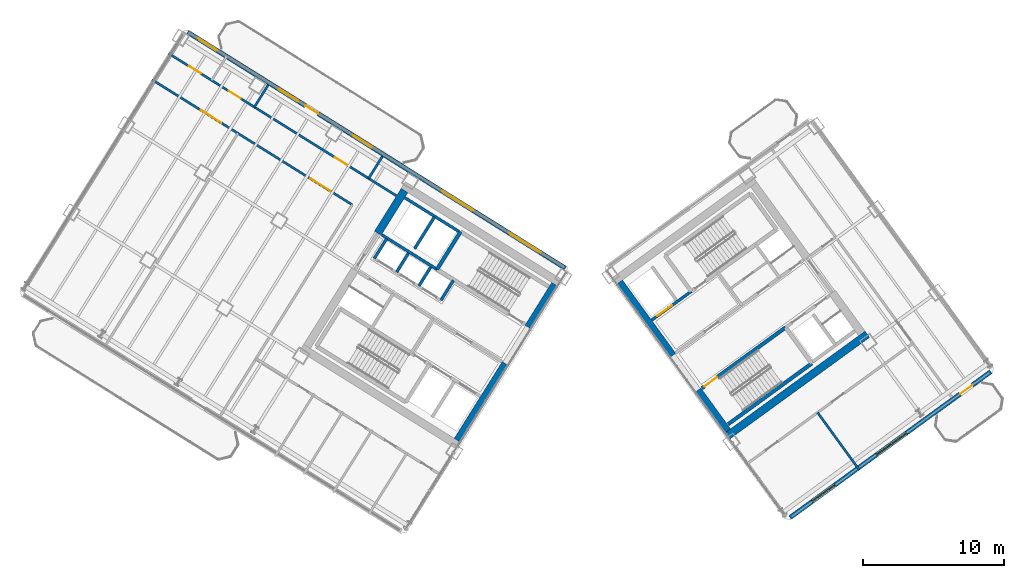
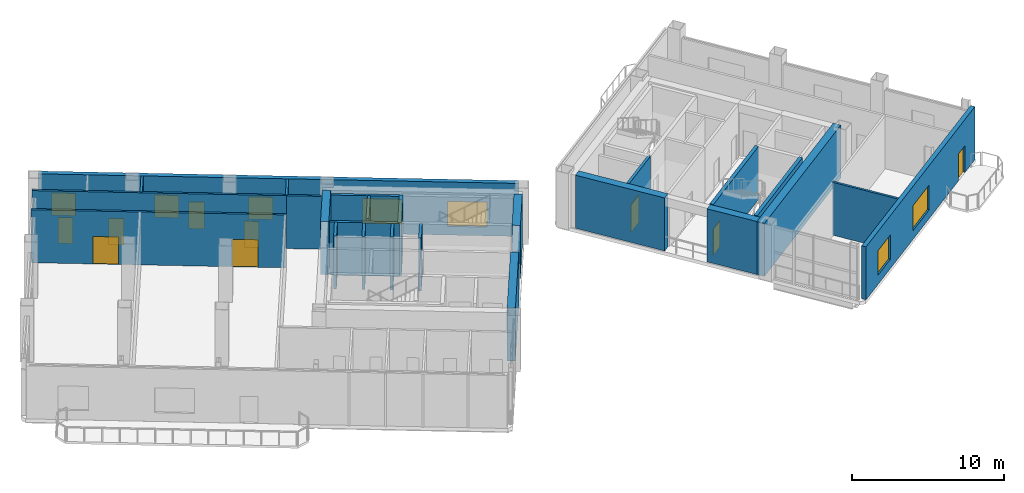
# One storey, part 11 of 18: 25 walls, 9 doors, 7 windows, 16 openings.
"""IFC4 building model written with IfcOpenShell, lengths in metres."""

from ifc_helpers import new_model, si_unit, direction, frame, frame_2d, origin, place, context, subcontext, project, spatial, rectangle, extrude, source, transform, mapped, material, layer, layer_set, type_object, element, fill, save


model = new_model("IFC4")

# Units and contexts
model_context = context("Model", 3, precision=1e-05, world=origin(), true_north=direction((0.0, 1.0)))
body_context = subcontext(model_context, "Body", "Model", "MODEL_VIEW")
ifc_project = project(units=[si_unit("LENGTHUNIT", "METRE"), si_unit("AREAUNIT", "SQUARE_METRE"), si_unit("VOLUMEUNIT", "CUBIC_METRE"), si_unit("PLANEANGLEUNIT", "RADIAN"), si_unit("MASSUNIT", "GRAM", prefix="KILO")], contexts=[model_context])

# Site, building, storey
site_placement = place(None, origin())
site = spatial("IfcSite", under=ifc_project, at=site_placement, CompositionType="ELEMENT")
building_placement = place(site_placement, origin())
building = spatial("IfcBuilding", under=site, at=building_placement, Name="Tlacorven Tower", CompositionType="ELEMENT")
storey_placement = place(building_placement, frame((0.0, 0.0, 136.199951171875)))
storey = spatial("IfcBuildingStorey", under=building, at=storey_placement, Name="L34", CompositionType="ELEMENT", Elevation=136.199951171875)

# Walls
ifc_material_1 = material(Name="Concrete C60/75", Category="concrete")
ifc_layer_1 = layer(ifc_material_1, 0.550048828125)
ifc_layer_set_1 = layer_set([ifc_layer_1], Name="Concrete C60/75")
wall_type_1 = type_object("IfcWallType", Name="WL-COR-550", PredefinedType="SHEAR", material=ifc_layer_set_1)
wall_1_placement = place(storey_placement, frame((40.194091796875, 23.92236328125, 0.0), z_axis=(0.0, 0.0, 1.0), x_axis=(-0.529888438328, -0.848067357541, 0.0)))
element("IfcWall", 1, at=wall_1_placement, inside=storey, type_object=wall_type_1, Name="L34 W core end wall E1.1", PredefinedType="SHEAR", context=body_context, shape_type="SweptSolid", body=[
    extrude(rectangle(XDim=3.574951171875, YDim=0.550048828125, at=frame_2d((1.78759765625, 0.0))), origin(), (0.0, 0.0, 1.0), 4.25),
])
wall_2_placement = place(storey_placement, frame((36.683349609375, 18.30419921875, 0.0), z_axis=(0.0, 0.0, 1.0), x_axis=(-0.529896466841, -0.848062341122, 0.0)))
element("IfcWall", 2, at=wall_2_placement, inside=storey, type_object=wall_type_1, Name="L34 W core end wall E1.2", PredefinedType="SHEAR", context=body_context, shape_type="SweptSolid", body=[
    extrude(rectangle(XDim=6.4248046875, YDim=0.550048828125, at=frame_2d((3.21240234375, 0.0))), origin(), (0.0, 0.0, 1.0), 4.25),
])
wall_3_placement = place(storey_placement, frame((29.517333984375, 30.59423828125, 0.0), z_axis=(0.0, 0.0, 1.0), x_axis=(-0.529906864564, -0.848055844204, 0.0)))
element("IfcWall", 3, at=wall_3_placement, inside=storey, type_object=wall_type_1, Name="L34 W core end wall E2.1", PredefinedType="SHEAR", context=body_context, shape_type="SweptSolid", body=[
    extrude(rectangle(XDim=3.5751953125, YDim=0.550048828125, at=frame_2d((1.78759765625, 0.0))), origin(), (0.0, 0.0, 1.0), 4.25),
])
wall_4_placement = place(storey_placement, frame((52.35888671875, 13.1396484375, 0.0), z_axis=(0.0, 0.0, 1.0), x_axis=(0.809014896919, 0.587788139183, 0.0)))
element("IfcWall", 4, at=wall_4_placement, inside=storey, type_object=wall_type_1, Name="L34 E core shear wall S1", PredefinedType="SHEAR", context=body_context, shape_type="SweptSolid", body=[
    extrude(rectangle(XDim=12.340087890625, YDim=0.550048828125, at=frame_2d((6.169921875, 0.0))), origin(), (0.0, 0.0, 1.0), 4.25),
])
wall_5_placement = place(storey_placement, frame((52.419677734375, 13.52392578125, 0.0), z_axis=(0.0, 0.0, 1.0), x_axis=(-0.587802113096, 0.809004744015, 0.0)))
element("IfcWall", 5, at=wall_5_placement, inside=storey, type_object=wall_type_1, Name="L34 E core end wall E1.1", PredefinedType="SHEAR", context=body_context, shape_type="SweptSolid", body=[
    extrude(rectangle(XDim=3.574951171875, YDim=0.550048828125, at=frame_2d((1.78759765625, 0.0))), origin(), (0.0, 0.0, 1.0), 4.25),
])
wall_6_placement = place(storey_placement, frame((48.525634765625, 18.883544921875, 0.0), z_axis=(0.0, 0.0, 1.0), x_axis=(-0.587764933797, 0.809031756236, 0.0)))
element("IfcWall", 6, at=wall_6_placement, inside=storey, type_object=wall_type_1, Name="L34 E core end wall E1.2", PredefinedType="SHEAR", context=body_context, shape_type="SweptSolid", body=[
    extrude(rectangle(XDim=6.425048828125, YDim=0.550048828125, at=frame_2d((3.21240234375, 0.0))), origin(), (0.0, 0.0, 1.0), 4.25),
])
ifc_material_2 = material(Name="Gypsum plasterboard acoustic partition", Category="gypsum")
ifc_layer_2 = layer(ifc_material_2, 0.159912109375)
ifc_layer_set_2 = layer_set([ifc_layer_2], Name="Gypsum plasterboard acoustic partition")
wall_type_2 = type_object("IfcWallType", Name="WL-DEM-160", PredefinedType="PARTITIONING", material=ifc_layer_set_2)
wall_7_placement = place(storey_placement, frame((28.929931640625, 30.22412109375, 0.0), z_axis=(0.0, 0.0, 1.0), x_axis=(-0.848028015797, 0.529951398172, 0.0)))
element("IfcWall", 7, at=wall_7_placement, inside=storey, type_object=wall_type_2, Name="L34 partition 43", PredefinedType="PARTITIONING", context=body_context, shape_type="SweptSolid", body=[
    extrude(rectangle(XDim=2.30810546875, YDim=0.159912109375, at=frame_2d((1.154052734375, 0.0))), origin(), (0.0, 0.0, 1.0), 4.239990234375),
])
wall_8_placement = place(storey_placement, frame((27.952880859375, 33.01611328125, 0.0), z_axis=(0.0, 0.0, 1.0), x_axis=(-0.529880305451, -0.848072439061, 0.0)))
element("IfcWall", 8, at=wall_8_placement, inside=storey, type_object=wall_type_2, Name="L34 partition 45", PredefinedType="PARTITIONING", context=body_context, shape_type="SweptSolid", body=[
    extrude(rectangle(XDim=1.849853515625, YDim=0.159912109375, at=frame_2d((0.9248046875, 0.0))), origin(), (0.0, 0.0, 1.0), 4.239990234375),
])

# Wall, openings, doors
wall_9_placement = place(storey_placement, frame((26.97265625, 31.447265625, 0.0), z_axis=(0.0, 0.0, 1.0), x_axis=(-0.848048310262, 0.529918921593, 0.0)))
wall_9 = element("IfcWall", 9, at=wall_9_placement, inside=storey, type_object=wall_type_2, Name="L34 Wing W Corridor South Wall", PredefinedType="PARTITIONING", context=body_context, shape_type="SweptSolid", body=[
    extrude(rectangle(XDim=16.72998046875, YDim=0.159912109375, at=frame_2d((8.364990234375, 0.0))), origin(), (0.0, 0.0, 1.0), 4.239990234375),
])
opening_1_placement = place(wall_9_placement, frame((1.800048828125, 0.0, 0.0)))
opening_1 = element("IfcOpeningElement", 10, at=opening_1_placement, cuts=wall_9, Name="Opening D11", PredefinedType="OPENING", context=body_context, shape_type="SweptSolid", body=[
    extrude(rectangle(XDim=1.0, YDim=2.10009765625, at=frame_2d((0.5, 1.050048828125))), frame((0.0, 0.08984375, 0.0), z_axis=(0.0, -1.0, 0.0), x_axis=(1.0, 0.0, 0.0)), (0.0, 0.0, 1.0), 0.179931640625),
])
opening_2_placement = place(wall_9_placement, frame((10.695068359375, 0.0, 0.0)))
opening_2 = element("IfcOpeningElement", 11, at=opening_2_placement, cuts=wall_9, Name="Opening D11", PredefinedType="OPENING", context=body_context, shape_type="SweptSolid", body=[
    extrude(rectangle(XDim=1.0, YDim=2.10009765625, at=frame_2d((0.5, 1.050048828125))), frame((0.0, 0.08984375, 0.0), z_axis=(0.0, -1.0, 0.0), x_axis=(1.0, 0.0, 0.0)), (0.0, 0.0, 1.0), 0.179931640625),
])
opening_3_placement = place(wall_9_placement, frame((14.032958984375, 0.0, 0.0)))
opening_3 = element("IfcOpeningElement", 12, at=opening_3_placement, cuts=wall_9, Name="Opening D11", PredefinedType="OPENING", context=body_context, shape_type="SweptSolid", body=[
    extrude(rectangle(XDim=1.0, YDim=2.10009765625, at=frame_2d((0.5, 1.050048828125))), frame((0.0, 0.08984375, 0.0), z_axis=(0.0, -1.0, 0.0), x_axis=(1.0, 0.0, 0.0)), (0.0, 0.0, 1.0), 0.179931640625),
])
ifc_material_3 = material(Name="Fire-rated steel door assembly", Category="steel")
door_type_1 = type_object("IfcDoorType", Name="DR-FLT-FD60-1000", OperationType="NOTDEFINED", PredefinedType="DOOR", material=ifc_material_3)
shared_shape_1 = source(origin(), body_context, "Body", "SweptSolid", [
    extrude(rectangle(XDim=1.0, YDim=2.10009765625, at=frame_2d((0.5, 1.050048828125))), frame((0.0, 0.02490234375, 0.0), z_axis=(0.0, -1.0, 0.0), x_axis=(1.0, 0.0, 0.0)), (0.0, 0.0, 1.0), 0.050048828125),
])
door_1_placement = place(opening_1_placement, frame((1.0, 0.0, 0.0), z_axis=(0.0, 0.0, 1.0), x_axis=(-1.0, 0.0, 0.0)))
door_1 = element("IfcDoor", 13, at=door_1_placement, inside=storey, type_object=door_type_1, Name="L34 door 023", OperationType="SINGLE_SWING_LEFT", OverallHeight=2.10009765625, OverallWidth=1.0, PredefinedType="DOOR", context=body_context, shape_type="MappedRepresentation", body=[
    mapped(shared_shape_1, transform((0.0, 0.0, 0.0), scale=1.0)),
])
fill(opening_1, door_1)
door_2_placement = place(opening_2_placement, frame((1.0, 0.0, 0.0), z_axis=(0.0, 0.0, 1.0), x_axis=(-1.0, 0.0, 0.0)))
door_2 = element("IfcDoor", 14, at=door_2_placement, inside=storey, type_object=door_type_1, Name="L34 door 024", OperationType="SINGLE_SWING_RIGHT", OverallHeight=2.10009765625, OverallWidth=1.0, PredefinedType="DOOR", context=body_context, shape_type="MappedRepresentation", body=[
    mapped(shared_shape_1, transform((0.0, 0.0, 0.0), scale=1.0)),
])
fill(opening_2, door_2)
door_3_placement = place(opening_3_placement, frame((1.0, 0.0, 0.0), z_axis=(0.0, 0.0, 1.0), x_axis=(-1.0, 0.0, 0.0)))
door_3 = element("IfcDoor", 15, at=door_3_placement, inside=storey, type_object=door_type_1, Name="L34 door 025", OperationType="SINGLE_SWING_RIGHT", OverallHeight=2.10009765625, OverallWidth=1.0, PredefinedType="DOOR", context=body_context, shape_type="MappedRepresentation", body=[
    mapped(shared_shape_1, transform((0.0, 0.0, 0.0), scale=1.0)),
])
fill(opening_3, door_3)

wall_10_placement = place(storey_placement, frame((25.806884765625, 29.58154296875, 0.0), z_axis=(0.0, 0.0, 1.0), x_axis=(-0.848052408131, 0.529912363569, 0.0)))
wall_10 = element("IfcWall", 16, at=wall_10_placement, inside=storey, type_object=wall_type_2, Name="L34 Wing W Corridor North Wall", PredefinedType="PARTITIONING", context=body_context, shape_type="SweptSolid", body=[
    extrude(rectangle(XDim=16.72998046875, YDim=0.159912109375, at=frame_2d((8.364990234375, 0.0))), origin(), (0.0, 0.0, 1.0), 4.239990234375),
])
opening_4_placement = place(wall_10_placement, frame((1.800048828125, 0.0, 0.0)))
opening_4 = element("IfcOpeningElement", 17, at=opening_4_placement, cuts=wall_10, Name="Opening D17", PredefinedType="OPENING", context=body_context, shape_type="SweptSolid", body=[
    extrude(rectangle(XDim=1.699951171875, YDim=2.199951171875, at=frame_2d((0.85009765625, 1.10009765625))), frame((0.0, 0.08984375, 0.0), z_axis=(0.0, -1.0, 0.0), x_axis=(1.0, 0.0, 0.0)), (0.0, 0.0, 1.0), 0.179931640625),
])
opening_5_placement = place(wall_10_placement, frame((10.955078125, 0.0, 0.0)))
opening_5 = element("IfcOpeningElement", 18, at=opening_5_placement, cuts=wall_10, Name="Opening D17", PredefinedType="OPENING", context=body_context, shape_type="SweptSolid", body=[
    extrude(rectangle(XDim=1.699951171875, YDim=2.199951171875, at=frame_2d((0.85009765625, 1.10009765625))), frame((0.0, 0.08984375, 0.0), z_axis=(0.0, -1.0, 0.0), x_axis=(1.0, 0.0, 0.0)), (0.0, 0.0, 1.0), 0.179931640625),
])
door_type_2 = type_object("IfcDoorType", Name="DR-COM-HALL-1700", OperationType="DOUBLE_DOOR_SINGLE_SWING", PredefinedType="DOOR", material=ifc_material_3)
shared_shape_2 = source(origin(), body_context, "Body", "SweptSolid", [
    extrude(rectangle(XDim=1.699951171875, YDim=2.199951171875, at=frame_2d((0.85009765625, 1.10009765625))), frame((0.0, 0.02490234375, 0.0), z_axis=(0.0, -1.0, 0.0), x_axis=(1.0, 0.0, 0.0)), (0.0, 0.0, 1.0), 0.050048828125),
])
door_4_placement = place(opening_4_placement, origin())
door_4 = element("IfcDoor", 19, at=door_4_placement, inside=storey, type_object=door_type_2, Name="L34 door 021", OperationType="DOUBLE_DOOR_SINGLE_SWING", OverallHeight=2.199951171875, OverallWidth=1.699951171875, PredefinedType="DOOR", context=body_context, shape_type="MappedRepresentation", body=[
    mapped(shared_shape_2, transform((0.0, 0.0, 0.0), scale=1.0)),
])
fill(opening_4, door_4)
door_5_placement = place(opening_5_placement, origin())
door_5 = element("IfcDoor", 20, at=door_5_placement, inside=storey, type_object=door_type_2, Name="L34 door 022", OperationType="DOUBLE_DOOR_SINGLE_SWING", OverallHeight=2.199951171875, OverallWidth=1.699951171875, PredefinedType="DOOR", context=body_context, shape_type="MappedRepresentation", body=[
    mapped(shared_shape_2, transform((0.0, 0.0, 0.0), scale=1.0)),
])
fill(opening_5, door_5)

# Walls
wall_11_placement = place(storey_placement, frame((19.849853515625, 38.079345703125, 0.0), z_axis=(0.0, 0.0, 1.0), x_axis=(-0.529880305451, -0.848072439061, 0.0)))
element("IfcWall", 21, at=wall_11_placement, inside=storey, type_object=wall_type_2, Name="L34 partition 50", PredefinedType="PARTITIONING", context=body_context, shape_type="SweptSolid", body=[
    extrude(rectangle(XDim=1.849853515625, YDim=0.159912109375, at=frame_2d((0.9248046875, 0.0))), origin(), (0.0, 0.0, 1.0), 4.239990234375),
])
wall_12_placement = place(storey_placement, frame((61.75634765625, 10.795654296875, 0.0), z_axis=(0.0, 0.0, 1.0), x_axis=(-0.587782595105, 0.809018924928, 0.0)))
element("IfcWall", 22, at=wall_12_placement, inside=storey, type_object=wall_type_2, Name="L34 partition 63", PredefinedType="PARTITIONING", context=body_context, shape_type="SweptSolid", body=[
    extrude(rectangle(XDim=5.0, YDim=0.159912109375, at=frame_2d((2.5, 0.0))), origin(), (0.0, 0.0, 1.0), 4.239990234375),
])

# Wall, openings, door, windows
ifc_material_4 = material(Name="Precast concrete C45/55", Category="concrete")
ifc_layer_3 = layer(ifc_material_4, 0.320068359375)
ifc_layer_set_3 = layer_set([ifc_layer_3], Name="Precast concrete C45/55")
wall_type_3 = type_object("IfcWallType", Name="WL-EXT-320", PredefinedType="STANDARD", material=ifc_layer_set_3)
wall_13_placement = place(storey_placement, frame((14.13818359375, 41.825439453125, 0.0), z_axis=(0.0, 0.0, 1.0), x_axis=(0.848046498049, -0.529921821731, 0.0)))
wall_13 = element("IfcWall", 23, at=wall_13_placement, inside=storey, type_object=wall_type_3, Name="L34 Masonry-Frame Recessed Facade Wall 3", PredefinedType="STANDARD", context=body_context, shape_type="SweptSolid", body=[
    extrude(rectangle(XDim=31.587646484375, YDim=0.320068359375, at=frame_2d((15.7939453125, 0.0))), origin(), (0.0, 0.0, 1.0), 4.25),
])
opening_6_placement = place(wall_13_placement, frame((9.857421875, 0.0, 0.0)))
opening_6 = element("IfcOpeningElement", 24, at=opening_6_placement, cuts=wall_13, Name="Opening D06", PredefinedType="OPENING", context=body_context, shape_type="SweptSolid", body=[
    extrude(rectangle(XDim=1.050048828125, YDim=2.14990234375, at=frame_2d((0.52490234375, 1.074951171875))), frame((0.0, 0.169921875, 0.0), z_axis=(0.0, -1.0, 0.0), x_axis=(1.0, 0.0, 0.0)), (0.0, 0.0, 1.0), 0.340087890625),
])
opening_7_placement = place(wall_13_placement, frame((0.8623046875, 0.0, 0.85009765625)))
opening_7 = element("IfcOpeningElement", 25, at=opening_7_placement, cuts=wall_13, Name="Opening WN12", PredefinedType="OPENING", context=body_context, shape_type="SweptSolid", body=[
    extrude(rectangle(XDim=1.60009765625, YDim=1.800048828125, at=frame_2d((0.800048828125, 0.89990234375))), frame((0.0, 0.169921875, 0.0), z_axis=(0.0, -1.0, 0.0), x_axis=(1.0, 0.0, 0.0)), (0.0, 0.0, 1.0), 0.340087890625),
])
opening_8_placement = place(wall_13_placement, frame((7.648193359375, 0.0, 0.85009765625)))
opening_8 = element("IfcOpeningElement", 26, at=opening_8_placement, cuts=wall_13, Name="Opening WN12", PredefinedType="OPENING", context=body_context, shape_type="SweptSolid", body=[
    extrude(rectangle(XDim=1.60009765625, YDim=1.800048828125, at=frame_2d((0.800048828125, 0.89990234375))), frame((0.0, 0.169921875, 0.0), z_axis=(0.0, -1.0, 0.0), x_axis=(1.0, 0.0, 0.0)), (0.0, 0.0, 1.0), 0.340087890625),
])
opening_9_placement = place(wall_13_placement, frame((13.82373046875, 0.0, 0.85009765625)))
opening_9 = element("IfcOpeningElement", 27, at=opening_9_placement, cuts=wall_13, Name="Opening WN12", PredefinedType="OPENING", context=body_context, shape_type="SweptSolid", body=[
    extrude(rectangle(XDim=1.60009765625, YDim=1.800048828125, at=frame_2d((0.800048828125, 0.89990234375))), frame((0.0, 0.169921875, 0.0), z_axis=(0.0, -1.0, 0.0), x_axis=(1.0, 0.0, 0.0)), (0.0, 0.0, 1.0), 0.340087890625),
])
opening_10_placement = place(wall_13_placement, frame((21.293701171875, 0.0, 0.699951171875)))
opening_10 = element("IfcOpeningElement", 28, at=opening_10_placement, cuts=wall_13, Name="Opening WN10", PredefinedType="OPENING", context=body_context, shape_type="SweptSolid", body=[
    extrude(rectangle(XDim=2.60009765625, YDim=2.0, at=frame_2d((1.300048828125, 1.0))), frame((0.0, 0.169921875, 0.0), z_axis=(0.0, -1.0, 0.0), x_axis=(1.0, 0.0, 0.0)), (0.0, 0.0, 1.0), 0.340087890625),
])
opening_11_placement = place(wall_13_placement, frame((26.893798828125, 0.0, 0.699951171875)))
opening_11 = element("IfcOpeningElement", 29, at=opening_11_placement, cuts=wall_13, Name="Opening WN10", PredefinedType="OPENING", context=body_context, shape_type="SweptSolid", body=[
    extrude(rectangle(XDim=2.60009765625, YDim=2.0, at=frame_2d((1.300048828125, 1.0))), frame((0.0, 0.169921875, 0.0), z_axis=(0.0, -1.0, 0.0), x_axis=(1.0, 0.0, 0.0)), (0.0, 0.0, 1.0), 0.340087890625),
])
ifc_material_5 = material(Name="Powder-coated aluminium and timber door", Category="wood")
door_type_3 = type_object("IfcDoorType", Name="DR-EXT-BALC-1050", OperationType="NOTDEFINED", PredefinedType="DOOR", material=ifc_material_5)
shared_shape_3 = source(origin(), body_context, "Body", "SweptSolid", [
    extrude(rectangle(XDim=1.050048828125, YDim=2.14990234375, at=frame_2d((0.52490234375, 1.074951171875))), frame((0.0, 0.02490234375, 0.0), z_axis=(0.0, -1.0, 0.0), x_axis=(1.0, 0.0, 0.0)), (0.0, 0.0, 1.0), 0.050048828125),
])
door_6_placement = place(opening_6_placement, origin())
door_6 = element("IfcDoor", 30, at=door_6_placement, inside=storey, type_object=door_type_3, Name="L34 Outdoor Access Door BAL-L34-W-IN", OperationType="SINGLE_SWING_RIGHT", OverallHeight=2.14990234375, OverallWidth=1.050048828125, PredefinedType="DOOR", context=body_context, shape_type="MappedRepresentation", body=[
    mapped(shared_shape_3, transform((0.0, 0.0, 0.0), scale=1.0)),
])
fill(opening_6, door_6)
ifc_material_6 = material(Name="Dark solar low-E double glazing in anodised aluminium frame", Category="aluminium")
window_type_1 = type_object("IfcWindowType", Name="WN-COM-2600X2200", PartitioningType="SINGLE_PANEL", PredefinedType="WINDOW", material=ifc_material_6)
shared_shape_4 = source(origin(), body_context, "Body", "SweptSolid", [
    extrude(rectangle(XDim=2.60009765625, YDim=2.0, at=frame_2d((1.300048828125, 1.0))), frame((0.0, 0.030029296875, 0.0), z_axis=(0.0, -1.0, 0.0), x_axis=(1.0, 0.0, 0.0)), (0.0, 0.0, 1.0), 0.06005859375),
])
window_1_placement = place(opening_10_placement, origin())
window_1 = element("IfcWindow", 31, at=window_1_placement, inside=storey, type_object=window_type_1, Name="L34 Recessed Masonry-Frame Window L34-03.4", OverallHeight=2.0, OverallWidth=2.60009765625, PartitioningType="SINGLE_PANEL", PredefinedType="WINDOW", context=body_context, shape_type="MappedRepresentation", body=[
    mapped(shared_shape_4, transform((0.0, 0.0, 0.0), scale=1.0)),
])
fill(opening_10, window_1)
window_2_placement = place(opening_11_placement, origin())
window_2 = element("IfcWindow", 32, at=window_2_placement, inside=storey, type_object=window_type_1, Name="L34 Recessed Masonry-Frame Window L34-03.5", OverallHeight=2.0, OverallWidth=2.60009765625, PartitioningType="SINGLE_PANEL", PredefinedType="WINDOW", context=body_context, shape_type="MappedRepresentation", body=[
    mapped(shared_shape_4, transform((0.0, 0.0, 0.0), scale=1.0)),
])
fill(opening_11, window_2)
window_type_2 = type_object("IfcWindowType", Name="WN-COM-1600X1900", PartitioningType="SINGLE_PANEL", PredefinedType="WINDOW", material=ifc_material_6)
shared_shape_5 = source(origin(), body_context, "Body", "SweptSolid", [
    extrude(rectangle(XDim=1.60009765625, YDim=1.800048828125, at=frame_2d((0.800048828125, 0.89990234375))), frame((0.0, 0.030029296875, 0.0), z_axis=(0.0, -1.0, 0.0), x_axis=(1.0, 0.0, 0.0)), (0.0, 0.0, 1.0), 0.06005859375),
])
window_3_placement = place(opening_7_placement, origin())
window_3 = element("IfcWindow", 33, at=window_3_placement, inside=storey, type_object=window_type_2, Name="L34 Recessed Masonry-Frame Window L34-03.1", OverallHeight=1.800048828125, OverallWidth=1.60009765625, PartitioningType="SINGLE_PANEL", PredefinedType="WINDOW", context=body_context, shape_type="MappedRepresentation", body=[
    mapped(shared_shape_5, transform((0.0, 0.0, 0.0), scale=1.0)),
])
fill(opening_7, window_3)
window_4_placement = place(opening_8_placement, origin())
window_4 = element("IfcWindow", 34, at=window_4_placement, inside=storey, type_object=window_type_2, Name="L34 Recessed Masonry-Frame Window L34-03.2", OverallHeight=1.800048828125, OverallWidth=1.60009765625, PartitioningType="SINGLE_PANEL", PredefinedType="WINDOW", context=body_context, shape_type="MappedRepresentation", body=[
    mapped(shared_shape_5, transform((0.0, 0.0, 0.0), scale=1.0)),
])
fill(opening_8, window_4)
window_5_placement = place(opening_9_placement, origin())
window_5 = element("IfcWindow", 35, at=window_5_placement, inside=storey, type_object=window_type_2, Name="L34 Recessed Masonry-Frame Window L34-03.3", OverallHeight=1.800048828125, OverallWidth=1.60009765625, PartitioningType="SINGLE_PANEL", PredefinedType="WINDOW", context=body_context, shape_type="MappedRepresentation", body=[
    mapped(shared_shape_5, transform((0.0, 0.0, 0.0), scale=1.0)),
])
fill(opening_9, window_5)

wall_14_placement = place(storey_placement, frame((71.097900390625, 17.73095703125, 0.0), z_axis=(0.0, 0.0, 1.0), x_axis=(-0.809021120468, -0.587779573171, 0.0)))
wall_14 = element("IfcWall", 36, at=wall_14_placement, inside=storey, type_object=wall_type_3, Name="L34 Masonry-Frame Recessed Facade Wall 6", PredefinedType="STANDARD", context=body_context, shape_type="SweptSolid", body=[
    extrude(rectangle(XDim=17.587646484375, YDim=0.320068359375, at=frame_2d((8.7939453125, 0.0))), origin(), (0.0, 0.0, 1.0), 4.25),
])
opening_12_placement = place(wall_14_placement, frame((1.623779296875, 0.0, 0.0)))
opening_12 = element("IfcOpeningElement", 37, at=opening_12_placement, cuts=wall_14, Name="Opening D06", PredefinedType="OPENING", context=body_context, shape_type="SweptSolid", body=[
    extrude(rectangle(XDim=1.050048828125, YDim=2.14990234375, at=frame_2d((0.52490234375, 1.074951171875))), frame((0.0, 0.169921875, 0.0), z_axis=(0.0, -1.0, 0.0), x_axis=(1.0, 0.0, 0.0)), (0.0, 0.0, 1.0), 0.340087890625),
])
opening_13_placement = place(wall_14_placement, frame((7.398681640625, 0.0, 0.699951171875)))
opening_13 = element("IfcOpeningElement", 38, at=opening_13_placement, cuts=wall_14, Name="Opening WN10", PredefinedType="OPENING", context=body_context, shape_type="SweptSolid", body=[
    extrude(rectangle(XDim=2.60009765625, YDim=2.0, at=frame_2d((1.300048828125, 1.0))), frame((0.0, 0.169921875, 0.0), z_axis=(0.0, -1.0, 0.0), x_axis=(1.0, 0.0, 0.0)), (0.0, 0.0, 1.0), 0.340087890625),
])
opening_14_placement = place(wall_14_placement, frame((13.650634765625, 0.0, 0.75)))
opening_14 = element("IfcOpeningElement", 39, at=opening_14_placement, cuts=wall_14, Name="Opening WN11", PredefinedType="OPENING", context=body_context, shape_type="SweptSolid", body=[
    extrude(rectangle(XDim=2.0, YDim=1.949951171875, at=frame_2d((1.0, 0.97509765625))), frame((0.0, 0.169921875, 0.0), z_axis=(0.0, -1.0, 0.0), x_axis=(1.0, 0.0, 0.0)), (0.0, 0.0, 1.0), 0.340087890625),
])
door_7_placement = place(opening_12_placement, origin())
door_7 = element("IfcDoor", 40, at=door_7_placement, inside=storey, type_object=door_type_3, Name="L34 Outdoor Access Door BAL-L34-E-OUT", OperationType="SINGLE_SWING_LEFT", OverallHeight=2.14990234375, OverallWidth=1.050048828125, PredefinedType="DOOR", context=body_context, shape_type="MappedRepresentation", body=[
    mapped(shared_shape_3, transform((0.0, 0.0, 0.0), scale=1.0)),
])
fill(opening_12, door_7)
window_6_placement = place(opening_13_placement, origin())
window_6 = element("IfcWindow", 41, at=window_6_placement, inside=storey, type_object=window_type_1, Name="L34 Recessed Masonry-Frame Window L34-06.1", OverallHeight=2.0, OverallWidth=2.60009765625, PartitioningType="SINGLE_PANEL", PredefinedType="WINDOW", context=body_context, shape_type="MappedRepresentation", body=[
    mapped(shared_shape_4, transform((0.0, 0.0, 0.0), scale=1.0)),
])
fill(opening_13, window_6)
window_type_3 = type_object("IfcWindowType", Name="WN-COM-2000X2100", PartitioningType="SINGLE_PANEL", PredefinedType="WINDOW", material=ifc_material_6)
shared_shape_6 = source(origin(), body_context, "Body", "SweptSolid", [
    extrude(rectangle(XDim=2.0, YDim=1.949951171875, at=frame_2d((1.0, 0.97509765625))), frame((0.0, 0.030029296875, 0.0), z_axis=(0.0, -1.0, 0.0), x_axis=(1.0, 0.0, 0.0)), (0.0, 0.0, 1.0), 0.06005859375),
])
window_7_placement = place(opening_14_placement, origin())
window_7 = element("IfcWindow", 42, at=window_7_placement, inside=storey, type_object=window_type_3, Name="L34 Recessed Masonry-Frame Window L34-06.2", OverallHeight=1.949951171875, OverallWidth=2.0, PartitioningType="SINGLE_PANEL", PredefinedType="WINDOW", context=body_context, shape_type="MappedRepresentation", body=[
    mapped(shared_shape_6, transform((0.0, 0.0, 0.0), scale=1.0)),
])
fill(opening_14, window_7)

# Walls
ifc_material_7 = material(Name="Concrete C40/50", Category="concrete")
ifc_layer_4 = layer(ifc_material_7, 0.199951171875)
ifc_layer_set_4 = layer_set([ifc_layer_4], Name="Concrete C40/50")
wall_type_4 = type_object("IfcWallType", Name="WL-SHF-200", PredefinedType="STANDARD", material=ifc_layer_set_4)
wall_15_placement = place(storey_placement, frame((31.82177734375, 24.99755859375, 0.0), z_axis=(0.0, 0.0, 1.0), x_axis=(-0.848036912365, 0.52993716162, 0.0)))
element("IfcWall", 43, at=wall_15_placement, inside=storey, type_object=wall_type_4, Name="L34 Core W South Lift Shaft Wall", PredefinedType="STANDARD", context=body_context, shape_type="SweptSolid", body=[
    extrude(rectangle(XDim=4.617919921875, YDim=0.199951171875, at=frame_2d((2.30908203125, 0.0))), origin(), (0.0, 0.0, 1.0), 4.239990234375),
])
wall_16_placement = place(storey_placement, frame((32.982421875, 24.21337890625, 0.0), z_axis=(0.0, 0.0, 1.0), x_axis=(-0.529839334948, -0.84809803628, 0.0)))
element("IfcWall", 44, at=wall_16_placement, inside=storey, type_object=wall_type_4, Name="L34 partition 12", PredefinedType="STANDARD", context=body_context, shape_type="SweptSolid", body=[
    extrude(rectangle(XDim=1.650146484375, YDim=0.199951171875, at=frame_2d((0.8251953125, 0.0))), origin(), (0.0, 0.0, 1.0), 4.239990234375),
])
wall_17_placement = place(storey_placement, frame((28.250244140625, 27.170166015625, 0.0), z_axis=(0.0, 0.0, 1.0), x_axis=(-0.529905827651, -0.848056492117, 0.0)))
element("IfcWall", 45, at=wall_17_placement, inside=storey, type_object=wall_type_4, Name="L34 partition 13", PredefinedType="STANDARD", context=body_context, shape_type="SweptSolid", body=[
    extrude(rectangle(XDim=1.64990234375, YDim=0.199951171875, at=frame_2d((0.824951171875, 0.0))), origin(), (0.0, 0.0, 1.0), 4.239990234375),
])
wall_18_placement = place(storey_placement, frame((31.645263671875, 28.716064453125, 0.0), z_axis=(0.0, 0.0, 1.0), x_axis=(-0.52986693015, -0.848080795876, 0.0)))
element("IfcWall", 46, at=wall_18_placement, inside=storey, type_object=wall_type_4, Name="L34 partition 15", PredefinedType="STANDARD", context=body_context, shape_type="SweptSolid", body=[
    extrude(rectangle(XDim=2.659912109375, YDim=0.199951171875, at=frame_2d((1.330078125, 0.0))), origin(), (0.0, 0.0, 1.0), 4.239990234375),
])
wall_19_placement = place(storey_placement, frame((33.362548828125, 27.690185546875, 0.0), z_axis=(0.0, 0.0, 1.0), x_axis=(-0.848047090064, 0.529920874315, 0.0)))
element("IfcWall", 47, at=wall_19_placement, inside=storey, type_object=wall_type_4, Name="L34 partition 17", PredefinedType="STANDARD", context=body_context, shape_type="SweptSolid", body=[
    extrude(rectangle(XDim=4.498046875, YDim=0.199951171875, at=frame_2d((2.2490234375, 0.0))), origin(), (0.0, 0.0, 1.0), 4.239990234375),
])
for number, where, z_axis, x_axis, name in (
    (48, (31.378662109375, 25.156494140625, 0.0), (0.0, 0.0, 1.0), (-0.529998940003, -0.847998304005, 0.0), "L34 partition 18"),
    (49, (29.80126953125, 26.14208984375, 0.0), (0.0, 0.0, 1.0), (-0.529998940003, -0.847998304005, 0.0), "L34 partition 19"),
):
    element("IfcWall", number, at=place(storey_placement, frame(where, z_axis=z_axis, x_axis=x_axis)), inside=storey, type_object=wall_type_4, Name=name, PredefinedType="STANDARD", context=body_context, shape_type="SweptSolid", body=[
        extrude(rectangle(XDim=1.580078125, YDim=0.199951171875, at=frame_2d((0.7900390625, 0.0))), origin(), (0.0, 0.0, 1.0), 4.239990234375),
    ])

# Wall, opening, door
wall_20_placement = place(storey_placement, frame((47.0654296875, 21.4072265625, 0.0), z_axis=(0.0, 0.0, 1.0), x_axis=(0.809032984992, 0.587763242466, 0.0)))
wall_20 = element("IfcWall", 50, at=wall_20_placement, inside=storey, type_object=wall_type_4, Name="L34 Core E Firefighting Lift Shaft Front Wall", PredefinedType="STANDARD", context=body_context, shape_type="SweptSolid", body=[
    extrude(rectangle(XDim=3.447998046875, YDim=0.199951171875, at=frame_2d((1.72412109375, 0.0))), origin(), (0.0, 0.0, 1.0), 4.239990234375),
])
opening_15_placement = place(wall_20_placement, frame((0.4580078125, 0.0, 0.0)))
opening_15 = element("IfcOpeningElement", 51, at=opening_15_placement, cuts=wall_20, Name="Opening LD03", PredefinedType="OPENING", context=body_context, shape_type="SweptSolid", body=[
    extrude(rectangle(XDim=1.300048828125, YDim=2.199951171875, at=frame_2d((0.64990234375, 1.10009765625))), frame((0.0, 0.10986328125, 0.0), z_axis=(0.0, -1.0, 0.0), x_axis=(1.0, 0.0, 0.0)), (0.0, 0.0, 1.0), 0.219970703125),
])
door_type_4 = type_object("IfcDoorType", Name="DR-LFT-SLID-1300", OperationType="DOUBLE_DOOR_SLIDING", PredefinedType="DOOR", material=ifc_material_3)
shared_shape_7 = source(origin(), body_context, "Body", "SweptSolid", [
    extrude(rectangle(XDim=1.300048828125, YDim=2.199951171875, at=frame_2d((0.64990234375, 1.10009765625))), frame((0.0, 0.02490234375, 0.0), z_axis=(0.0, -1.0, 0.0), x_axis=(1.0, 0.0, 0.0)), (0.0, 0.0, 1.0), 0.050048828125),
])
door_8_placement = place(opening_15_placement, origin())
door_8 = element("IfcDoor", 52, at=door_8_placement, inside=storey, type_object=door_type_4, Name="L34 Lift FFL-E1 Sliding Landing Door", OperationType="DOUBLE_DOOR_SLIDING", OverallHeight=2.199951171875, OverallWidth=1.300048828125, PredefinedType="DOOR", context=body_context, shape_type="MappedRepresentation", body=[
    mapped(shared_shape_7, transform((0.0, 0.0, 0.0), scale=1.0)),
])
fill(opening_15, door_8)

# Walls
ifc_material_8 = material(Name="Concrete C50/60", Category="concrete")
ifc_layer_5 = layer(ifc_material_8, 0.260009765625)
ifc_layer_set_5 = layer_set([ifc_layer_5], Name="Concrete C50/60")
wall_type_5 = type_object("IfcWallType", Name="WL-STW-260", PredefinedType="SHEAR", material=ifc_layer_set_5)
wall_21_placement = place(storey_placement, frame((33.496337890625, 27.677490234375, 0.0), z_axis=(0.0, 0.0, 1.0), x_axis=(-0.529908658664, -0.84805472316, 0.0)))
element("IfcWall", 53, at=wall_21_placement, inside=storey, type_object=wall_type_5, Name="L34 Stair W2 East Shear Wall", PredefinedType="SHEAR", context=body_context, shape_type="SweptSolid", body=[
    extrude(rectangle(XDim=3.16015625, YDim=0.260009765625, at=frame_2d((1.580078125, 0.0))), origin(), (0.0, 0.0, 1.0), 4.25),
])
wall_22_placement = place(storey_placement, frame((52.47216796875, 14.01318359375, 0.0), z_axis=(0.0, 0.0, 1.0), x_axis=(0.809028366311, 0.587769599847, 0.0)))
element("IfcWall", 54, at=wall_22_placement, inside=storey, type_object=wall_type_5, Name="L34 Stair E2 Far Shear Wall", PredefinedType="SHEAR", context=body_context, shape_type="SweptSolid", body=[
    extrude(rectangle(XDim=7.330078125, YDim=0.260009765625, at=frame_2d((3.6650390625, 0.0))), origin(), (0.0, 0.0, 1.0), 4.25),
])

# Wall, opening, door
wall_23_placement = place(storey_placement, frame((50.61474609375, 16.569580078125, 0.0), z_axis=(0.0, 0.0, 1.0), x_axis=(0.809028366311, 0.587769599847, 0.0)))
wall_23 = element("IfcWall", 55, at=wall_23_placement, inside=storey, type_object=wall_type_5, Name="L34 Stair E2 Lobby Shear Wall", PredefinedType="SHEAR", context=body_context, shape_type="SweptSolid", body=[
    extrude(rectangle(XDim=7.330078125, YDim=0.260009765625, at=frame_2d((3.6650390625, 0.0))), origin(), (0.0, 0.0, 1.0), 4.25),
])
opening_16_placement = place(wall_23_placement, frame((0.219970703125, 0.0, 0.0)))
opening_16 = element("IfcOpeningElement", 56, at=opening_16_placement, cuts=wall_23, Name="Opening D07", PredefinedType="OPENING", context=body_context, shape_type="SweptSolid", body=[
    extrude(rectangle(XDim=1.10009765625, YDim=2.10009765625, at=frame_2d((0.550048828125, 1.050048828125))), frame((0.0, 0.14013671875, 0.0), z_axis=(0.0, -1.0, 0.0), x_axis=(1.0, 0.0, 0.0)), (0.0, 0.0, 1.0), 0.280029296875),
])
door_type_5 = type_object("IfcDoorType", Name="DR-STR-FD90-1100", OperationType="NOTDEFINED", PredefinedType="DOOR", material=ifc_material_3)
shared_shape_8 = source(origin(), body_context, "Body", "SweptSolid", [
    extrude(rectangle(XDim=1.10009765625, YDim=2.10009765625, at=frame_2d((0.550048828125, 1.050048828125))), frame((0.0, 0.02490234375, 0.0), z_axis=(0.0, -1.0, 0.0), x_axis=(1.0, 0.0, 0.0)), (0.0, 0.0, 1.0), 0.050048828125),
])
door_9_placement = place(opening_16_placement, origin())
door_9 = element("IfcDoor", 57, at=door_9_placement, inside=storey, type_object=door_type_5, Name="L34 Exit Stair E2 Fire Door", OperationType="SINGLE_SWING_RIGHT", OverallHeight=2.10009765625, OverallWidth=1.10009765625, PredefinedType="DOOR", context=body_context, shape_type="MappedRepresentation", body=[
    mapped(shared_shape_8, transform((0.0, 0.0, 0.0), scale=1.0)),
])
fill(opening_16, door_9)

save(model, "model.ifc")
